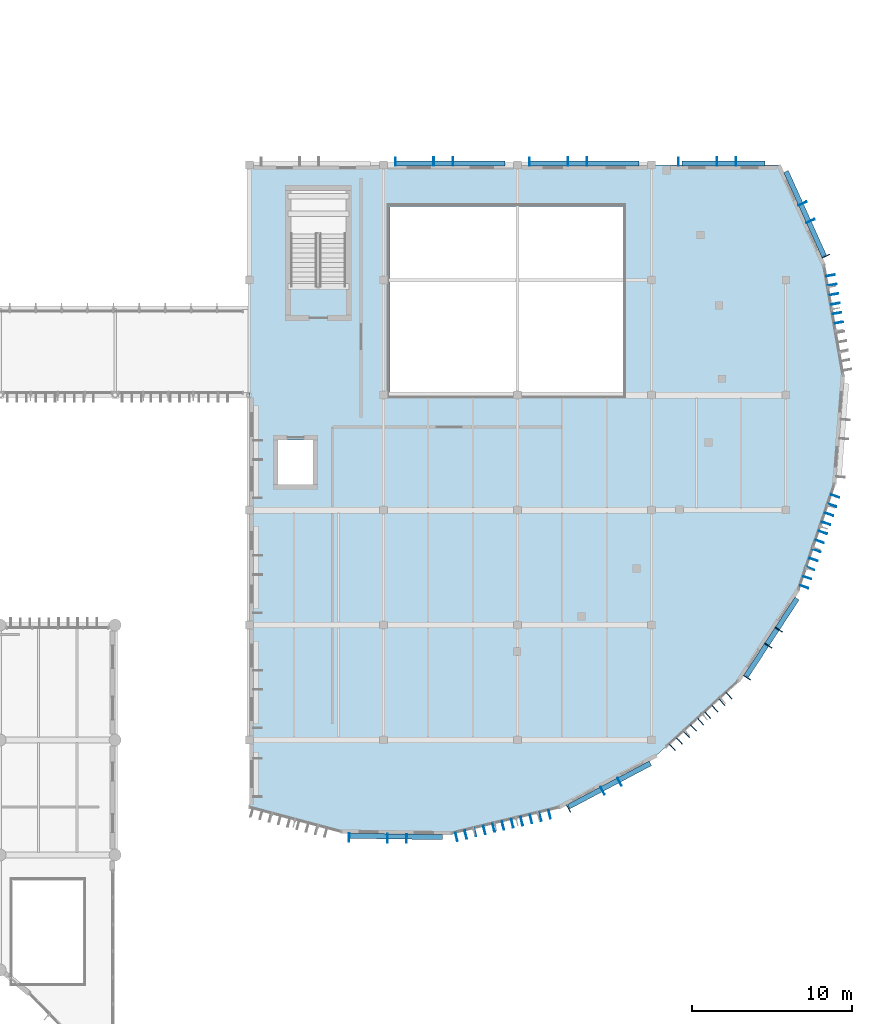
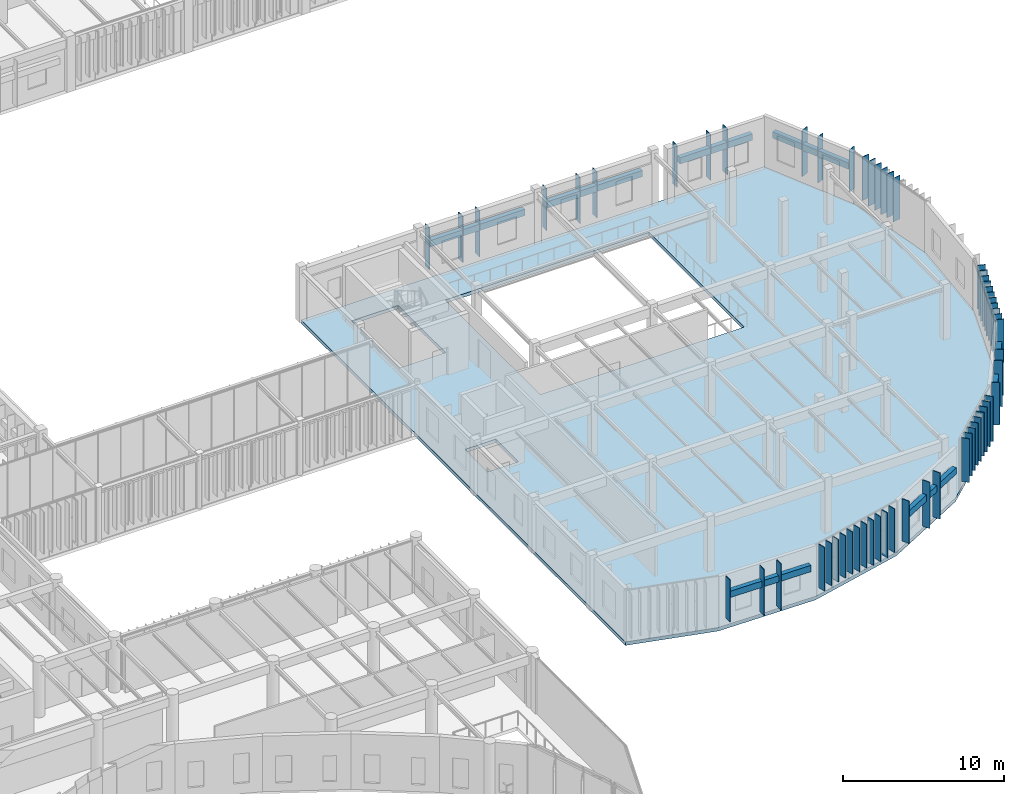
# One storey, part 32 of 122: 65 plates, 1 slab.
"""IFC4 building model written with IfcOpenShell, lengths in metres."""

from ifc_helpers import new_model, si_unit, direction, frame, origin, origin_2d, place, context, subcontext, project, spatial, polyline, rectangle, outline, extrude, material, layer, layer_set, type_object, element, save


model = new_model("IFC4")

# Units and contexts
model_context = context("Model", 3, precision=1e-05, world=origin(), true_north=direction((0.0, 1.0)))
body_context = subcontext(model_context, "Body", "Model", "MODEL_VIEW")
ifc_project = project(units=[si_unit("LENGTHUNIT", "METRE"), si_unit("AREAUNIT", "SQUARE_METRE"), si_unit("VOLUMEUNIT", "CUBIC_METRE"), si_unit("PLANEANGLEUNIT", "RADIAN"), si_unit("MASSUNIT", "GRAM", prefix="KILO")], contexts=[model_context])

# Site, building, storey
site_placement = place(None, origin())
site = spatial("IfcSite", under=ifc_project, at=site_placement, CompositionType="ELEMENT")
building_placement = place(site_placement, origin())
building = spatial("IfcBuilding", under=site, at=building_placement, Name="Tazoul Stagehouse", CompositionType="ELEMENT")
storey_placement = place(building_placement, frame((0.0, 0.0, 4.800048828125)))
storey = spatial("IfcBuildingStorey", under=building, at=storey_placement, Name="L01", CompositionType="ELEMENT", Elevation=4.800048828125)

# Plates
ifc_material_1 = material(Name="Anodised Bronze Aluminium 6063-T6", Category="aluminium")
ifc_layer_1 = layer(ifc_material_1, 0.52001953125, Name="Anodised Bronze Aluminium 6063-T6")
ifc_layer_set_1 = layer_set([ifc_layer_1], Name="Anodised Bronze Aluminium 6063-T6")
plate_type_1 = type_object("IfcPlateType", Name="Parametric Terracotta-Bronze Solar Fin 520x3200", PredefinedType="USERDEFINED", material=ifc_layer_set_1)
for number, where, z_axis, x_axis, name in (
    (1, (131.65380859375, 16.901611328125, 0.6201171875), (0.0, 0.0, 1.0), (0.999900466301, -0.014108773555, 0.0), "L01 Parametric Solar Fin SFN-18 (WALL-V4-DRUM-L01-S02-S1-01)"),
    (2, (138.955322265625, 17.07666015625, 0.68994140625), (0.0, 0.0, 1.0), (0.972063098492, 0.234719689311, 0.0), "L01 Parametric Solar Fin SFN-18 (CW-V4-DRUM-L01-S03-02)"),
    (3, (139.538818359375, 17.217529296875, 0.68994140625), (0.0, 0.0, 1.0), (0.972063098492, 0.234719689311, 0.0), "L01 Parametric Solar Fin SFN-18 (CW-V4-DRUM-L01-S03-03)"),
    (4, (140.121826171875, 17.3583984375, 0.68994140625), (0.0, 0.0, 1.0), (0.972063098492, 0.234719689311, 0.0), "L01 Parametric Solar Fin SFN-18 (CW-V4-DRUM-L01-S03-04)"),
    (5, (140.705078125, 17.4990234375, 0.68994140625), (0.0, 0.0, 1.0), (0.972063098492, 0.234719689311, 0.0), "L01 Parametric Solar Fin SFN-18 (CW-V4-DRUM-L01-S03-05)"),
    (6, (145.396240234375, 18.70947265625, 0.6201171875), (0.0, 0.0, 1.0), (0.883295587463, 0.468816494129, 0.0), "L01 Parametric Solar Fin SFN-18 (WALL-V4-DRUM-L01-S04-S1-01)"),
    (7, (152.333740234375, 22.94287109375, 0.68994140625), (0.0, 0.0, 1.0), (0.739146956888, 0.673544190178, 0.0), "L01 Parametric Solar Fin SFN-18 (CW-V4-DRUM-L01-S05-02)"),
    (8, (152.77734375, 23.34716796875, 0.68994140625), (0.0, 0.0, 1.0), (0.739146956888, 0.673544190178, 0.0), "L01 Parametric Solar Fin SFN-18 (CW-V4-DRUM-L01-S05-03)"),
    (9, (153.220703125, 23.751220703125, 0.68994140625), (0.0, 0.0, 1.0), (0.739146956888, 0.673544190178, 0.0), "L01 Parametric Solar Fin SFN-18 (CW-V4-DRUM-L01-S05-04)"),
    (10, (156.57275390625, 26.90771484375, 0.6201171875), (0.0, 0.0, 1.0), (0.548671208513, 0.83603821979, 0.0), "L01 Parametric Solar Fin SFN-18 (WALL-V4-DRUM-L01-S06-S1-01)"),
    (11, (160.3447265625, 33.162109375, 0.68994140625), (0.0, 0.0, 1.0), (0.323785316605, 0.946130577009, 0.0), "L01 Parametric Solar Fin SFN-18 (CW-V4-DRUM-L01-S07-02)"),
    (12, (160.5390625, 33.72998046875, 0.68994140625), (0.0, 0.0, 1.0), (0.323785316605, 0.946130577009, 0.0), "L01 Parametric Solar Fin SFN-18 (CW-V4-DRUM-L01-S07-03)"),
    (13, (160.7333984375, 34.297607421875, 0.68994140625), (0.0, 0.0, 1.0), (0.323785316605, 0.946130577009, 0.0), "L01 Parametric Solar Fin SFN-18 (CW-V4-DRUM-L01-S07-04)"),
    (14, (160.927490234375, 34.865234375, 0.68994140625), (0.0, 0.0, 1.0), (0.323785316605, 0.946130577009, 0.0), "L01 Parametric Solar Fin SFN-18 (CW-V4-DRUM-L01-S07-05)"),
    (15, (161.507568359375, 53.303466796875, 0.6201171875), (0.0, 0.0, 1.0), (-0.410830242296, 0.911711857999, 0.0), "L01 Parametric Solar Fin SFN-18 (WALL-V4-DRUM-L01-S10-S1-01)"),
    (16, (134.554931640625, 59.2099609375, 0.6201171875), (0.0, 0.0, 1.0), (1.0, 0.0, 0.0), "L01 Parametric Solar Fin SFN-18 (WALL-V4-N-L01-S2-01)"),
    (17, (142.955078125, 59.2099609375, 0.6201171875), (0.0, 0.0, 1.0), (1.0, 0.0, 0.0), "L01 Parametric Solar Fin SFN-18 (WALL-V4-N-L01-S3-01)"),
    (18, (152.283203125, 59.2099609375, 0.6201171875), (0.0, 0.0, 1.0), (1.0, 0.0, 0.0), "L01 Parametric Solar Fin SFN-18 (WALL-V4-N-L01-S4-01)"),
):
    element("IfcPlate", number, at=place(storey_placement, frame(where, z_axis=z_axis, x_axis=x_axis)), inside=storey, type_object=plate_type_1, Name=name, ObjectType="SOLAR FIN", PredefinedType="USERDEFINED", context=body_context, shape_type="SweptSolid", body=[
        extrude(rectangle(XDim=0.044921875, YDim=0.52001953125, at=origin_2d()), origin(), (0.0, 0.0, 1.0), 3.199951171875),
    ])
ifc_layer_2 = layer(ifc_material_1, 0.530029296875, Name="Anodised Bronze Aluminium 6063-T6")
ifc_layer_set_2 = layer_set([ifc_layer_2], Name="Anodised Bronze Aluminium 6063-T6")
plate_type_2 = type_object("IfcPlateType", Name="Parametric Terracotta-Bronze Solar Fin 530x3300", PredefinedType="USERDEFINED", material=ifc_layer_set_2)
for number, where, z_axis, x_axis, name in (
    (19, (138.373291015625, 16.930908203125, 0.58984375), (0.0, 0.0, 1.0), (0.972063098492, 0.234719689311, 0.0), "L01 Parametric Solar Fin SFN-19 (CW-V4-DRUM-L01-S03-01)"),
    (20, (141.28955078125, 17.635009765625, 0.58984375), (0.0, 0.0, 1.0), (0.972063098492, 0.234719689311, 0.0), "L01 Parametric Solar Fin SFN-19 (CW-V4-DRUM-L01-S03-06)"),
    (21, (141.872802734375, 17.77587890625, 0.58984375), (0.0, 0.0, 1.0), (0.972063098492, 0.234719689311, 0.0), "L01 Parametric Solar Fin SFN-19 (CW-V4-DRUM-L01-S03-07)"),
    (22, (144.205810546875, 18.33935546875, 0.58984375), (0.0, 0.0, 1.0), (0.972063098492, 0.234719689311, 0.0), "L01 Parametric Solar Fin SFN-19 (CW-V4-DRUM-L01-S03-11)"),
    (23, (151.893798828125, 22.53515625, 0.58984375), (0.0, 0.0, 1.0), (0.739146956888, 0.673544190178, 0.0), "L01 Parametric Solar Fin SFN-19 (CW-V4-DRUM-L01-S05-01)"),
    (24, (153.667724609375, 24.151611328125, 0.58984375), (0.0, 0.0, 1.0), (0.739146956888, 0.673544190178, 0.0), "L01 Parametric Solar Fin SFN-19 (CW-V4-DRUM-L01-S05-05)"),
    (25, (154.111083984375, 24.5556640625, 0.58984375), (0.0, 0.0, 1.0), (0.739146956888, 0.673544190178, 0.0), "L01 Parametric Solar Fin SFN-19 (CW-V4-DRUM-L01-S05-06)"),
    (26, (160.1552734375, 32.593017578125, 0.58984375), (0.0, 0.0, 1.0), (0.323785316605, 0.946130577009, 0.0), "L01 Parametric Solar Fin SFN-19 (CW-V4-DRUM-L01-S07-01)"),
    (27, (161.126708984375, 35.431396484375, 0.58984375), (0.0, 0.0, 1.0), (0.323785316605, 0.946130577009, 0.0), "L01 Parametric Solar Fin SFN-19 (CW-V4-DRUM-L01-S07-06)"),
    (28, (161.32080078125, 35.9990234375, 0.58984375), (0.0, 0.0, 1.0), (0.323785316605, 0.946130577009, 0.0), "L01 Parametric Solar Fin SFN-19 (CW-V4-DRUM-L01-S07-07)"),
    (29, (162.097900390625, 38.269775390625, 0.58984375), (0.0, 0.0, 1.0), (0.323785316605, 0.946130577009, 0.0), "L01 Parametric Solar Fin SFN-19 (CW-V4-DRUM-L01-S07-11)"),
    (30, (162.314697265625, 49.135986328125, 0.58984375), (0.0, 0.0, 1.0), (-0.171495809953, 0.985184849238, 0.0), "L01 Parametric Solar Fin SFN-19 (CW-V4-DRUM-L01-S09-06)"),
    (31, (162.211669921875, 49.72705078125, 0.58984375), (0.0, 0.0, 1.0), (-0.171495809953, 0.985184849238, 0.0), "L01 Parametric Solar Fin SFN-19 (CW-V4-DRUM-L01-S09-07)"),
    (32, (161.800048828125, 52.091552734375, 0.58984375), (0.0, 0.0, 1.0), (-0.171495809953, 0.985184849238, 0.0), "L01 Parametric Solar Fin SFN-19 (CW-V4-DRUM-L01-S09-11)"),
):
    element("IfcPlate", number, at=place(storey_placement, frame(where, z_axis=z_axis, x_axis=x_axis)), inside=storey, type_object=plate_type_2, Name=name, ObjectType="SOLAR FIN", PredefinedType="USERDEFINED", context=body_context, shape_type="SweptSolid", body=[
        extrude(rectangle(XDim=0.044921875, YDim=0.530029296875, at=origin_2d()), origin(), (0.0, 0.0, 1.0), 3.300048828125),
    ])
ifc_layer_3 = layer(ifc_material_1, 0.5400390625, Name="Anodised Bronze Aluminium 6063-T6")
ifc_layer_set_3 = layer_set([ifc_layer_3], Name="Anodised Bronze Aluminium 6063-T6")
plate_type_3 = type_object("IfcPlateType", Name="Parametric Terracotta-Bronze Solar Fin 540x3400", PredefinedType="USERDEFINED", material=ifc_layer_set_3)
for number, where, z_axis, x_axis, name in (
    (33, (142.457275390625, 17.911865234375, 0.489990234375), (0.0, 0.0, 1.0), (0.972063098492, 0.234719689311, 0.0), "L01 Parametric Solar Fin SFN-20 (CW-V4-DRUM-L01-S03-08)"),
    (34, (143.04052734375, 18.052734375, 0.489990234375), (0.0, 0.0, 1.0), (0.972063098492, 0.234719689311, 0.0), "L01 Parametric Solar Fin SFN-20 (CW-V4-DRUM-L01-S03-09)"),
    (35, (143.623779296875, 18.193603515625, 0.489990234375), (0.0, 0.0, 1.0), (0.972063098492, 0.234719689311, 0.0), "L01 Parametric Solar Fin SFN-20 (CW-V4-DRUM-L01-S03-10)"),
    (36, (154.55810546875, 24.956298828125, 0.489990234375), (0.0, 0.0, 1.0), (0.739146956888, 0.673544190178, 0.0), "L01 Parametric Solar Fin SFN-20 (CW-V4-DRUM-L01-S05-07)"),
    (37, (155.00146484375, 25.3603515625, 0.489990234375), (0.0, 0.0, 1.0), (0.739146956888, 0.673544190178, 0.0), "L01 Parametric Solar Fin SFN-20 (CW-V4-DRUM-L01-S05-08)"),
    (38, (155.445068359375, 25.764404296875, 0.489990234375), (0.0, 0.0, 1.0), (0.739146956888, 0.673544190178, 0.0), "L01 Parametric Solar Fin SFN-20 (CW-V4-DRUM-L01-S05-09)"),
    (39, (161.52001953125, 36.56494140625, 0.489990234375), (0.0, 0.0, 1.0), (0.323785316605, 0.946130577009, 0.0), "L01 Parametric Solar Fin SFN-20 (CW-V4-DRUM-L01-S07-08)"),
    (40, (161.714111328125, 37.1328125, 0.489990234375), (0.0, 0.0, 1.0), (0.323785316605, 0.946130577009, 0.0), "L01 Parametric Solar Fin SFN-20 (CW-V4-DRUM-L01-S07-09)"),
    (41, (161.908447265625, 37.700439453125, 0.489990234375), (0.0, 0.0, 1.0), (0.323785316605, 0.946130577009, 0.0), "L01 Parametric Solar Fin SFN-20 (CW-V4-DRUM-L01-S07-10)"),
    (42, (162.11376953125, 50.319091796875, 0.489990234375), (0.0, 0.0, 1.0), (-0.171495809953, 0.985184849238, 0.0), "L01 Parametric Solar Fin SFN-20 (CW-V4-DRUM-L01-S09-08)"),
    (43, (162.010986328125, 50.91015625, 0.489990234375), (0.0, 0.0, 1.0), (-0.171495809953, 0.985184849238, 0.0), "L01 Parametric Solar Fin SFN-20 (CW-V4-DRUM-L01-S09-09)"),
    (44, (161.907958984375, 51.501220703125, 0.489990234375), (0.0, 0.0, 1.0), (-0.171495809953, 0.985184849238, 0.0), "L01 Parametric Solar Fin SFN-20 (CW-V4-DRUM-L01-S09-10)"),
):
    element("IfcPlate", number, at=place(storey_placement, frame(where, z_axis=z_axis, x_axis=x_axis)), inside=storey, type_object=plate_type_3, Name=name, ObjectType="SOLAR FIN", PredefinedType="USERDEFINED", context=body_context, shape_type="SweptSolid", body=[
        extrude(rectangle(XDim=0.044921875, YDim=0.5400390625, at=origin_2d()), origin(), (0.0, 0.0, 1.0), 3.39990234375),
    ])
ifc_layer_4 = layer(ifc_material_1, 0.550048828125, Name="Anodised Bronze Aluminium 6063-T6")
ifc_layer_set_4 = layer_set([ifc_layer_4], Name="Anodised Bronze Aluminium 6063-T6")
plate_type_4 = type_object("IfcPlateType", Name="Parametric Terracotta-Bronze Solar Fin 550x3500", PredefinedType="USERDEFINED", material=ifc_layer_set_4)
for number, where, z_axis, x_axis, name in (
    (45, (134.05322265625, 16.852783203125, 0.320068359375), (0.0, 0.0, 1.0), (0.999900466301, -0.014108773555, 0.0), "L01 Parametric Solar Fin SFN-21 (WALL-V4-DRUM-L01-S02-S1-03)"),
    (46, (135.253173828125, 16.835693359375, 0.320068359375), (0.0, 0.0, 1.0), (0.999900466301, -0.014108773555, 0.0), "L01 Parametric Solar Fin SFN-21 (WALL-V4-DRUM-L01-S02-S1-04)"),
    (47, (147.523193359375, 19.8212890625, 0.320068359375), (0.0, 0.0, 1.0), (0.883295587463, 0.468816494129, 0.0), "L01 Parametric Solar Fin SFN-21 (WALL-V4-DRUM-L01-S04-S1-03)"),
    (48, (148.5830078125, 20.384033203125, 0.320068359375), (0.0, 0.0, 1.0), (0.883295587463, 0.468816494129, 0.0), "L01 Parametric Solar Fin SFN-21 (WALL-V4-DRUM-L01-S04-S1-04)"),
    (49, (157.902099609375, 28.906005859375, 0.320068359375), (0.0, 0.0, 1.0), (0.548671208513, 0.83603821979, 0.0), "L01 Parametric Solar Fin SFN-21 (WALL-V4-DRUM-L01-S06-S1-03)"),
    (50, (158.560546875, 29.9091796875, 0.320068359375), (0.0, 0.0, 1.0), (0.548671208513, 0.83603821979, 0.0), "L01 Parametric Solar Fin SFN-21 (WALL-V4-DRUM-L01-S06-S1-04)"),
    (51, (160.53515625, 55.497802734375, 0.320068359375), (0.0, 0.0, 1.0), (-0.410830242296, 0.911711857999, 0.0), "L01 Parametric Solar Fin SFN-21 (WALL-V4-DRUM-L01-S10-S1-03)"),
    (52, (160.042236328125, 56.591796875, 0.320068359375), (0.0, 0.0, 1.0), (-0.410830242296, 0.911711857999, 0.0), "L01 Parametric Solar Fin SFN-21 (WALL-V4-DRUM-L01-S10-S1-04)"),
    (53, (136.955078125, 59.22509765625, 0.320068359375), (0.0, 0.0, 1.0), (1.0, 0.0, 0.0), "L01 Parametric Solar Fin SFN-21 (WALL-V4-N-L01-S2-03)"),
    (54, (138.155029296875, 59.22509765625, 0.320068359375), (0.0, 0.0, 1.0), (1.0, 0.0, 0.0), "L01 Parametric Solar Fin SFN-21 (WALL-V4-N-L01-S2-04)"),
    (55, (145.35498046875, 59.22509765625, 0.320068359375), (0.0, 0.0, 1.0), (1.0, 0.0, 0.0), "L01 Parametric Solar Fin SFN-21 (WALL-V4-N-L01-S3-03)"),
    (56, (146.554931640625, 59.22509765625, 0.320068359375), (0.0, 0.0, 1.0), (1.0, 0.0, 0.0), "L01 Parametric Solar Fin SFN-21 (WALL-V4-N-L01-S3-04)"),
    (57, (154.68310546875, 59.22509765625, 0.320068359375), (0.0, 0.0, 1.0), (1.0, 0.0, 0.0), "L01 Parametric Solar Fin SFN-21 (WALL-V4-N-L01-S4-03)"),
    (58, (155.88330078125, 59.22509765625, 0.320068359375), (0.0, 0.0, 1.0), (1.0, 0.0, 0.0), "L01 Parametric Solar Fin SFN-21 (WALL-V4-N-L01-S4-04)"),
):
    element("IfcPlate", number, at=place(storey_placement, frame(where, z_axis=z_axis, x_axis=x_axis)), inside=storey, type_object=plate_type_4, Name=name, ObjectType="SOLAR FIN", PredefinedType="USERDEFINED", context=body_context, shape_type="SweptSolid", body=[
        extrude(rectangle(XDim=0.044921875, YDim=0.550048828125, at=origin_2d()), origin(), (0.0, 0.0, 1.0), 3.5),
    ])
ifc_layer_5 = layer(ifc_material_1, 0.320068359375, Name="Anodised Bronze Aluminium 6063-T6")
ifc_layer_set_5 = layer_set([ifc_layer_5], Name="Anodised Bronze Aluminium 6063-T6")
plate_type_5 = type_object("IfcPlateType", Name="Sculpted Facade Spandrel Ribbon 5200x480", PredefinedType="USERDEFINED", material=ifc_layer_set_5)
plate_placement = place(storey_placement, frame((155.091552734375, 59.110107421875, 2.321044921875), z_axis=(0.0, 0.0, 1.0), x_axis=(1.0, 0.0, 0.0)))
element("IfcPlate", 59, at=plate_placement, inside=storey, type_object=plate_type_5, Name="L01 Sculpted Facade Spandrel Ribbon FRB-07 (WALL-V4-N-L01-S4)", ObjectType="FACADE RIBBON", PredefinedType="USERDEFINED", context=body_context, shape_type="SweptSolid", body=[
    extrude(rectangle(XDim=5.199951171875, YDim=0.320068359375, at=origin_2d()), origin(), (0.0, 0.0, 1.0), 0.47998046875),
])
ifc_layer_6 = layer(ifc_material_1, 0.320068359375, Name="Anodised Bronze Aluminium 6063-T6")
ifc_layer_set_6 = layer_set([ifc_layer_6], Name="Anodised Bronze Aluminium 6063-T6")
plate_type_6 = type_object("IfcPlateType", Name="Sculpted Facade Spandrel Ribbon 5800x480", PredefinedType="USERDEFINED", material=ifc_layer_set_6)
for number, where, z_axis, x_axis, name in (
    (60, (134.610107421875, 16.9599609375, 2.321044921875), (0.0, 0.0, 1.0), (0.999900466301, -0.014108773555, 0.0), "L01 Sculpted Facade Spandrel Ribbon FRB-08 (WALL-V4-DRUM-L01-S02-S1)"),
    (61, (147.959716796875, 20.183349609375, 2.321044921875), (0.0, 0.0, 1.0), (0.883295587463, 0.468816494129, 0.0), "L01 Sculpted Facade Spandrel Ribbon FRB-08 (WALL-V4-DRUM-L01-S04-S1)"),
    (62, (158.110595703125, 29.433349609375, 2.321044921875), (0.0, 0.0, 1.0), (0.548671208513, 0.83603821979, 0.0), "L01 Sculpted Facade Spandrel Ribbon FRB-08 (WALL-V4-DRUM-L01-S06-S1)"),
    (63, (160.2021484375, 55.956787109375, 2.321044921875), (0.0, 0.0, 1.0), (-0.410830242296, 0.911711857999, 0.0), "L01 Sculpted Facade Spandrel Ribbon FRB-08 (WALL-V4-DRUM-L01-S10-S1)"),
):
    element("IfcPlate", number, at=place(storey_placement, frame(where, z_axis=z_axis, x_axis=x_axis)), inside=storey, type_object=plate_type_6, Name=name, ObjectType="FACADE RIBBON", PredefinedType="USERDEFINED", context=body_context, shape_type="SweptSolid", body=[
        extrude(rectangle(XDim=5.800048828125, YDim=0.320068359375, at=origin_2d()), origin(), (0.0, 0.0, 1.0), 0.47998046875),
    ])
ifc_layer_7 = layer(ifc_material_1, 0.320068359375, Name="Anodised Bronze Aluminium 6063-T6")
ifc_layer_set_7 = layer_set([ifc_layer_7], Name="Anodised Bronze Aluminium 6063-T6")
plate_type_7 = type_object("IfcPlateType", Name="Sculpted Facade Spandrel Ribbon 6800x480", PredefinedType="USERDEFINED", material=ifc_layer_set_7)
for number, where, z_axis, x_axis, name in (
    (64, (138.0, 59.110107421875, 2.321044921875), (0.0, 0.0, 1.0), (1.0, 0.0, 0.0), "L01 Sculpted Facade Spandrel Ribbon FRB-10 (WALL-V4-N-L01-S2)"),
    (65, (146.39990234375, 59.110107421875, 2.321044921875), (0.0, 0.0, 1.0), (1.0, 0.0, 0.0), "L01 Sculpted Facade Spandrel Ribbon FRB-10 (WALL-V4-N-L01-S3)"),
):
    element("IfcPlate", number, at=place(storey_placement, frame(where, z_axis=z_axis, x_axis=x_axis)), inside=storey, type_object=plate_type_7, Name=name, ObjectType="FACADE RIBBON", PredefinedType="USERDEFINED", context=body_context, shape_type="SweptSolid", body=[
        extrude(rectangle(XDim=6.800048828125, YDim=0.320068359375, at=origin_2d()), origin(), (0.0, 0.0, 1.0), 0.47998046875),
    ])

# Slab
ifc_material_2 = material(Name="Concrete C35/45", Category="concrete")
ifc_layer_8 = layer(ifc_material_2, 0.260009765625, Name="Concrete C35/45")
ifc_layer_set_8 = layer_set([ifc_layer_8], Name="Concrete C35/45")
slab_type = type_object("IfcSlabType", Name="Suspended Floor Slab 260", PredefinedType="FLOOR", material=ifc_layer_set_8)
slab_placement = place(storey_placement, frame((0.0, 0.0, -0.260009765625)))
element("IfcSlab", 66, at=slab_placement, inside=storey, type_object=slab_type, Name="L01 Suspended Floor Slab 260 (V4)", PredefinedType="FLOOR", context=body_context, shape_type="SweptSolid", body=[
    extrude(outline(polyline([(125.39990234375, 18.800048828125), (125.39990234375, 59.0), (158.545654296875, 59.0), (161.384765625, 52.69970703125), (162.56982421875, 45.8916015625), (162.026611328125, 39.002685546875), (159.7890625, 32.464599609375), (155.99755859375, 26.687255859375), (150.8896484375, 22.03271484375), (144.785888671875, 18.793212890625), (138.068603515625, 17.171142578125), (131.15869140625, 17.2685546875), (125.39990234375, 18.800048828125)]), holes=[polyline([(127.199951171875, 41.800048828125), (129.39990234375, 41.800048828125), (129.39990234375, 39.0), (127.199951171875, 39.0), (127.199951171875, 41.800048828125)]), polyline([(148.800048828125, 56.39990234375), (148.800048828125, 44.60009765625), (134.199951171875, 44.60009765625), (134.199951171875, 56.39990234375), (148.800048828125, 56.39990234375)]), polyline([(128.06005859375, 57.340087890625), (131.389892578125, 57.340087890625), (131.389892578125, 51.4599609375), (128.06005859375, 51.4599609375), (128.06005859375, 57.340087890625)])]), origin(), (0.0, 0.0, 1.0), 0.260009765625),
])

save(model, "model.ifc")
